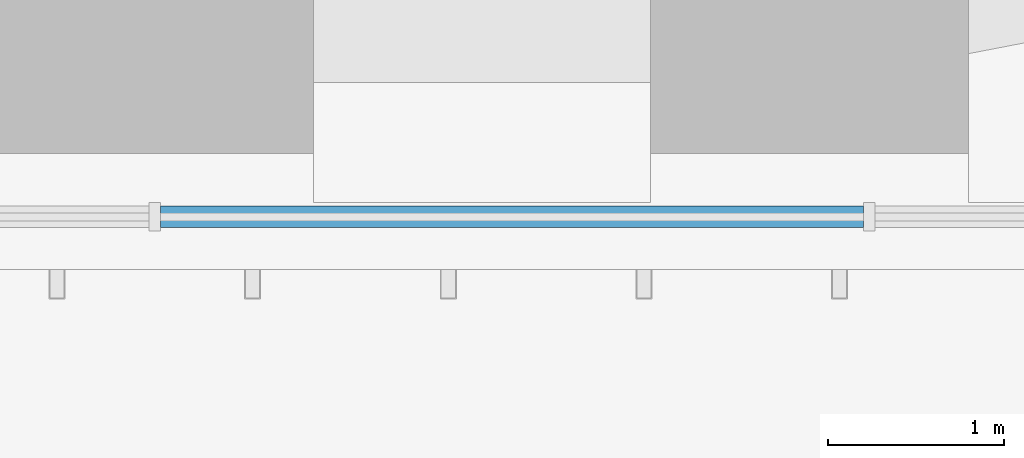
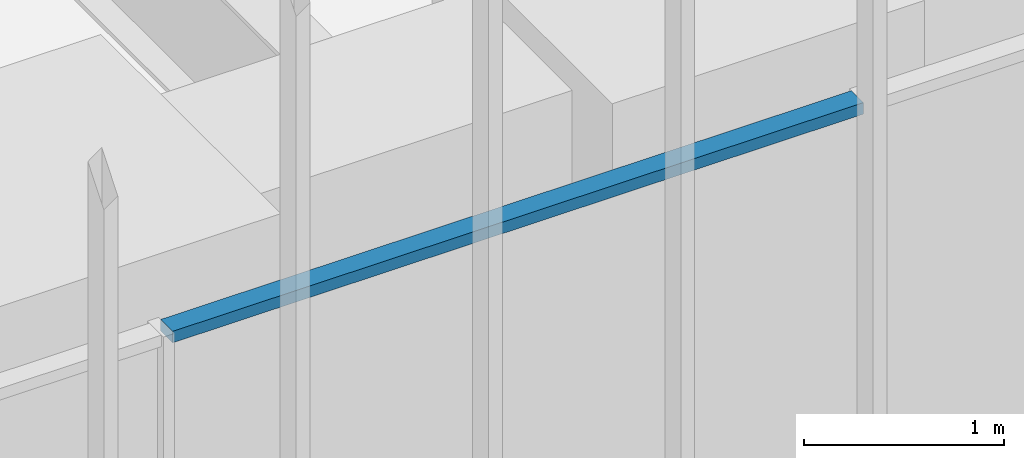
# One storey, part 39 of 228: 1 member, 1 element without a shape of its own.
"""IFC4 building model written with IfcOpenShell, lengths in metres."""

from ifc_helpers import new_model, si_unit, direction, frame, origin, origin_2d, place, context, subcontext, project, spatial, rectangle, extrude, material, material_profile, profile_set, type_object, element, aggregate, save


model = new_model("IFC4")

# Units and contexts
model_context = context("Model", 3, precision=1e-05, world=origin(), true_north=direction((0.0, 1.0)))
body_context = subcontext(model_context, "Body", "Model", "MODEL_VIEW")
ifc_project = project(units=[si_unit("LENGTHUNIT", "METRE"), si_unit("AREAUNIT", "SQUARE_METRE"), si_unit("VOLUMEUNIT", "CUBIC_METRE"), si_unit("PLANEANGLEUNIT", "RADIAN"), si_unit("MASSUNIT", "GRAM", prefix="KILO")], contexts=[model_context])

# Site, building, storey
site_placement = place(None, origin())
site = spatial("IfcSite", under=ifc_project, at=site_placement, CompositionType="ELEMENT")
building_placement = place(site_placement, origin())
building = spatial("IfcBuilding", under=site, at=building_placement, Name="Sandreach Pilgrim Tower", CompositionType="ELEMENT")
storey_placement = place(building_placement, frame((0.0, 0.0, 178.199951171875)))
storey = spatial("IfcBuildingStorey", under=building, at=storey_placement, Name="L44", CompositionType="ELEMENT", Elevation=178.199951171875)

# Curtain wall, member
ifc_material_1 = material(Name="Aluminium framed curtain wall", Category="aluminium")
curtain_wall_type = type_object("IfcCurtainWallType", Name="Upper hotel tower curtain wall", PredefinedType="NOTDEFINED", material=ifc_material_1)
curtain_wall_placement = place(storey_placement, origin())
curtain_wall = element("IfcCurtainWall", 1, at=curtain_wall_placement, inside=storey, type_object=curtain_wall_type, Name="CW-3 L44 SA", PredefinedType="NOTDEFINED")
ifc_material_2 = material(Name="Aluminium extrusion", Category="aluminium")
ifc_material_profile = material_profile(ifc_material_2, rectangle(XDim=0.1201171875, YDim=0.070068359375, at=origin_2d()), Name="CW-3T 120X70")
ifc_profile_set = profile_set([ifc_material_profile], Name="Aluminium extrusion")
member_type = type_object("IfcMemberType", Name="CW-3 transom", PredefinedType="USERDEFINED", material=ifc_profile_set)
member_placement = place(storey_placement, frame((4.01611328125, -26.525146484375, 4.804931640625), z_axis=(-1.0, 0.0, 0.0), x_axis=(0.0, -1.0, 0.0)))
member = element("IfcMember", 2, at=member_placement, type_object=member_type, Name="CW-3 head transom 2", ObjectType="TRANSOM", PredefinedType="USERDEFINED", context=body_context, shape_type="SweptSolid", body=[
    extrude(rectangle(XDim=0.1201171875, YDim=0.070068359375, at=origin_2d()), origin(), (0.0, 0.0, 1.0), 3.983642578125),
])
aggregate(curtain_wall, [member])

save(model, "model.ifc")
